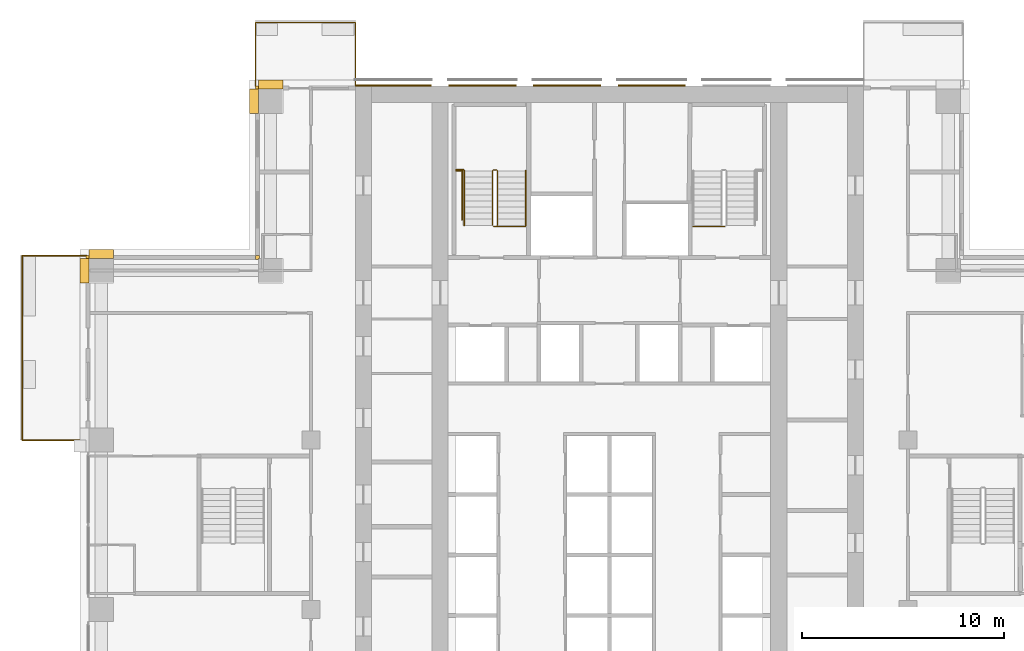
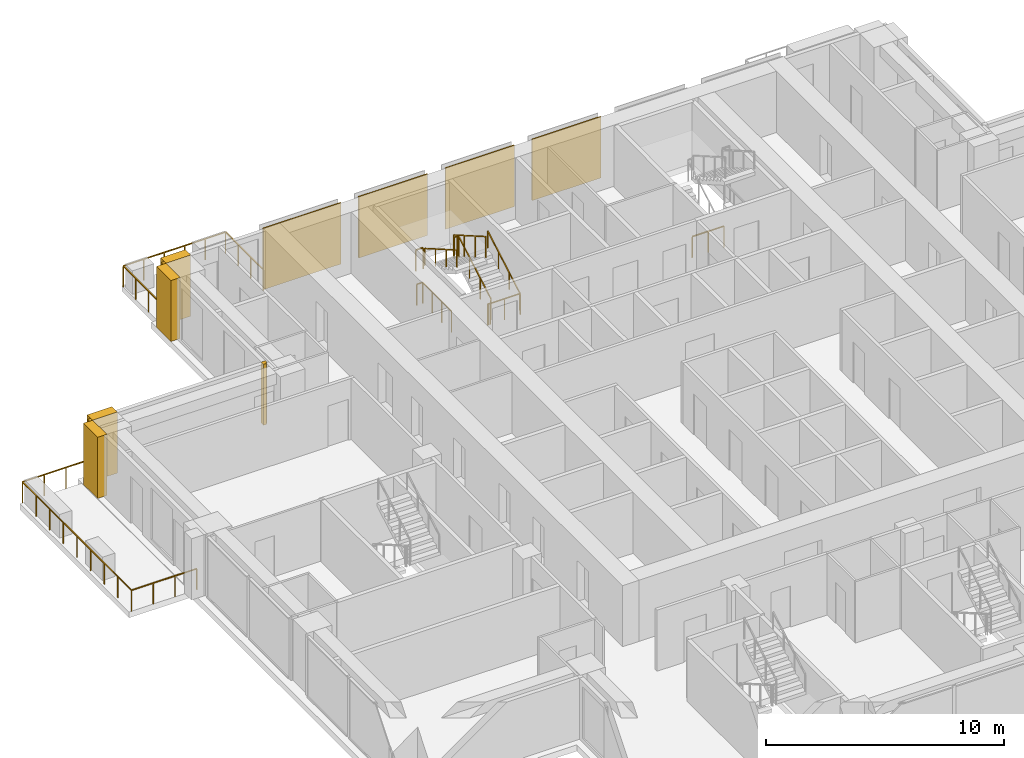
# One storey, part 16 of 17: 11 coverings, 9 railings.
"""IFC4 building model written with IfcOpenShell, lengths in metres."""

from ifc_helpers import new_model, si_unit, direction, frame, origin, origin_2d, place, context, subcontext, project, spatial, polyline, rectangle, outline, extrude, material, type_object, element, save


model = new_model("IFC4")

# Units and contexts
model_context = context("Model", 3, precision=1e-05, world=origin(), true_north=direction((0.0, 1.0)))
body_context = subcontext(model_context, "Body", "Model", "MODEL_VIEW")
ifc_project = project(units=[si_unit("LENGTHUNIT", "METRE"), si_unit("AREAUNIT", "SQUARE_METRE"), si_unit("VOLUMEUNIT", "CUBIC_METRE"), si_unit("PLANEANGLEUNIT", "RADIAN"), si_unit("MASSUNIT", "GRAM", prefix="KILO")], contexts=[model_context])

# Site, building, storey
site_placement = place(None, origin())
site = spatial("IfcSite", under=ifc_project, at=site_placement, CompositionType="ELEMENT")
building_placement = place(site_placement, origin())
building = spatial("IfcBuilding", under=site, at=building_placement, Name="Vermilion Ogive Tower", CompositionType="ELEMENT")
storey_placement = place(building_placement, frame((0.0, 0.0, 83.85009765625)))
storey = spatial("IfcBuildingStorey", under=building, at=storey_placement, Name="L20", CompositionType="ELEMENT", Elevation=83.85009765625)

# Railings
ifc_material_1 = material(Name="Stainless steel and glass", Category="steel")
railing_type_1 = type_object("IfcRailingType", Name="Balcony guard", PredefinedType="GUARDRAIL", material=ifc_material_1)
railing_1_placement = place(storey_placement, frame((-12.60009765625, 21.75, -0.0400390625)))
element("IfcRailing", 1, at=railing_1_placement, inside=storey, type_object=railing_type_1, Name="Guard N201", PredefinedType="GUARDRAIL", context=body_context, shape_type="SweptSolid", body=[
    extrude(rectangle(XDim=0.048095703125, YDim=0.048095703125, at=origin_2d()), frame((0.0, 0.0, 1.076171875), z_axis=(0.0, 1.0, 0.0), x_axis=(-1.0, 0.0, 0.0)), (0.0, 0.0, 1.0), 3.159912109375),
    extrude(rectangle(XDim=0.048095703125, YDim=0.048095703125, at=origin_2d()), frame((0.0, 3.159912109375, 1.076171875), z_axis=(-1.0, 0.0, 0.0), x_axis=(0.0, -1.0, 0.0)), (0.0, 0.0, 1.0), 4.949951171875),
    extrude(rectangle(XDim=0.048095703125, YDim=0.048095703125, at=origin_2d()), frame((-4.949951171875, 3.159912109375, 1.076171875), z_axis=(0.0, -1.0, 0.0), x_axis=(1.0, 0.0, 0.0)), (0.0, 0.0, 1.0), 3.159912109375),
    extrude(rectangle(XDim=0.0419921875, YDim=0.0419921875, at=origin_2d()), origin(), (0.0, 0.0, 1.0), 1.052001953125),
    extrude(rectangle(XDim=0.0419921875, YDim=0.0419921875, at=origin_2d()), frame((0.0, 1.05322265625, 0.0)), (0.0, 0.0, 1.0), 1.052001953125),
    extrude(rectangle(XDim=0.0419921875, YDim=0.0419921875, at=origin_2d()), frame((0.0, 2.106689453125, 0.0)), (0.0, 0.0, 1.0), 1.052001953125),
    extrude(rectangle(XDim=0.0419921875, YDim=0.0419921875, at=origin_2d()), frame((0.0, 3.159912109375, 0.0)), (0.0, 0.0, 1.0), 1.052001953125),
    extrude(rectangle(XDim=0.0419921875, YDim=0.0419921875, at=origin_2d()), frame((-0.989990234375, 3.159912109375, 0.0)), (0.0, 0.0, 1.0), 1.052001953125),
    extrude(rectangle(XDim=0.0419921875, YDim=0.0419921875, at=origin_2d()), frame((-1.97998046875, 3.159912109375, 0.0)), (0.0, 0.0, 1.0), 1.052001953125),
    extrude(rectangle(XDim=0.0419921875, YDim=0.0419921875, at=origin_2d()), frame((-2.969970703125, 3.159912109375, 0.0)), (0.0, 0.0, 1.0), 1.052001953125),
    extrude(rectangle(XDim=0.0419921875, YDim=0.0419921875, at=origin_2d()), frame((-3.9599609375, 3.159912109375, 0.0)), (0.0, 0.0, 1.0), 1.052001953125),
    extrude(rectangle(XDim=0.0419921875, YDim=0.0419921875, at=origin_2d()), frame((-4.949951171875, 3.159912109375, 0.0)), (0.0, 0.0, 1.0), 1.052001953125),
    extrude(rectangle(XDim=0.0419921875, YDim=0.0419921875, at=origin_2d()), frame((-4.949951171875, 2.106689453125, 0.0)), (0.0, 0.0, 1.0), 1.052001953125),
    extrude(rectangle(XDim=0.0419921875, YDim=0.0419921875, at=origin_2d()), frame((-4.949951171875, 1.05322265625, 0.0)), (0.0, 0.0, 1.0), 1.052001953125),
    extrude(rectangle(XDim=0.0419921875, YDim=0.0419921875, at=origin_2d()), frame((-4.949951171875, 0.0, 0.0)), (0.0, 0.0, 1.0), 1.052001953125),
])
railing_2_placement = place(storey_placement, frame((-25.949951171875, 13.35009765625, -0.0400390625)))
element("IfcRailing", 2, at=railing_2_placement, inside=storey, type_object=railing_type_1, Name="Guard W01", PredefinedType="GUARDRAIL", context=body_context, shape_type="SweptSolid", body=[
    extrude(rectangle(XDim=0.048095703125, YDim=0.048095703125, at=origin_2d()), frame((0.0, 0.0, 1.076171875), z_axis=(-1.0, 0.0, 0.0), x_axis=(0.0, -1.0, 0.0)), (0.0, 0.0, 1.0), 3.16015625),
    extrude(rectangle(XDim=0.048095703125, YDim=0.048095703125, at=origin_2d()), frame((-3.16015625, 0.0, 1.076171875), z_axis=(0.0, -1.0, 0.0), x_axis=(1.0, 0.0, 0.0)), (0.0, 0.0, 1.0), 9.150146484375),
    extrude(rectangle(XDim=0.048095703125, YDim=0.048095703125, at=origin_2d()), frame((-3.16015625, -9.150146484375, 1.076171875), z_axis=(1.0, 0.0, 0.0), x_axis=(0.0, 1.0, 0.0)), (0.0, 0.0, 1.0), 3.16015625),
    extrude(rectangle(XDim=0.0419921875, YDim=0.0419921875, at=origin_2d()), origin(), (0.0, 0.0, 1.0), 1.052001953125),
    extrude(rectangle(XDim=0.0419921875, YDim=0.0419921875, at=origin_2d()), frame((-1.053466796875, 0.0, 0.0)), (0.0, 0.0, 1.0), 1.052001953125),
    extrude(rectangle(XDim=0.0419921875, YDim=0.0419921875, at=origin_2d()), frame((-2.106689453125, 0.0, 0.0)), (0.0, 0.0, 1.0), 1.052001953125),
    extrude(rectangle(XDim=0.0419921875, YDim=0.0419921875, at=origin_2d()), frame((-3.16015625, 0.0, 0.0)), (0.0, 0.0, 1.0), 1.052001953125),
    extrude(rectangle(XDim=0.0419921875, YDim=0.0419921875, at=origin_2d()), frame((-3.16015625, -1.143798828125, 0.0)), (0.0, 0.0, 1.0), 1.052001953125),
    extrude(rectangle(XDim=0.0419921875, YDim=0.0419921875, at=origin_2d()), frame((-3.16015625, -2.28759765625, 0.0)), (0.0, 0.0, 1.0), 1.052001953125),
    extrude(rectangle(XDim=0.0419921875, YDim=0.0419921875, at=origin_2d()), frame((-3.16015625, -3.431396484375, 0.0)), (0.0, 0.0, 1.0), 1.052001953125),
    extrude(rectangle(XDim=0.0419921875, YDim=0.0419921875, at=origin_2d()), frame((-3.16015625, -4.5751953125, 0.0)), (0.0, 0.0, 1.0), 1.052001953125),
    extrude(rectangle(XDim=0.0419921875, YDim=0.0419921875, at=origin_2d()), frame((-3.16015625, -5.71875, 0.0)), (0.0, 0.0, 1.0), 1.052001953125),
    extrude(rectangle(XDim=0.0419921875, YDim=0.0419921875, at=origin_2d()), frame((-3.16015625, -6.862548828125, 0.0)), (0.0, 0.0, 1.0), 1.052001953125),
    extrude(rectangle(XDim=0.0419921875, YDim=0.0419921875, at=origin_2d()), frame((-3.16015625, -8.00634765625, 0.0)), (0.0, 0.0, 1.0), 1.052001953125),
    extrude(rectangle(XDim=0.0419921875, YDim=0.0419921875, at=origin_2d()), frame((-3.16015625, -9.150146484375, 0.0)), (0.0, 0.0, 1.0), 1.052001953125),
    extrude(rectangle(XDim=0.0419921875, YDim=0.0419921875, at=origin_2d()), frame((-2.106689453125, -9.150146484375, 0.0)), (0.0, 0.0, 1.0), 1.052001953125),
    extrude(rectangle(XDim=0.0419921875, YDim=0.0419921875, at=origin_2d()), frame((-1.053466796875, -9.150146484375, 0.0)), (0.0, 0.0, 1.0), 1.052001953125),
    extrude(rectangle(XDim=0.0419921875, YDim=0.0419921875, at=origin_2d()), frame((0.0, -9.150146484375, 0.0)), (0.0, 0.0, 1.0), 1.052001953125),
])
ifc_material_2 = material(Name="Steel S355 painted", Category="steel")
railing_type_2 = type_object("IfcRailingType", Name="Stair guard 1100", PredefinedType="GUARDRAIL", material=ifc_material_2)
railing_3_placement = place(storey_placement, frame((-5.75, 14.800048828125, 0.0)))
element("IfcRailing", 3, at=railing_3_placement, inside=storey, type_object=railing_type_2, Name="L20 ST1 stair guard 4", PredefinedType="GUARDRAIL", context=body_context, shape_type="SweptSolid", body=[
    extrude(rectangle(XDim=0.048095703125, YDim=0.048095703125, at=origin_2d()), frame((0.0, 0.0, 1.076171875), z_axis=(1.0, 0.0, 0.0), x_axis=(0.0, 1.0, 0.0)), (0.0, 0.0, 1.0), 0.14990234375),
    extrude(rectangle(XDim=0.048095703125, YDim=0.048095703125, at=origin_2d()), frame((0.14990234375, 0.0, 1.076171875), z_axis=(0.268603158521, 0.268603158521, 0.925043072762), x_axis=(-0.707106781187, 0.707106781187, 0.0)), (0.0, 0.0, 1.0), 0.186279296875),
    extrude(rectangle(XDim=0.048095703125, YDim=0.048095703125, at=origin_2d()), frame((0.199951171875, 0.050048828125, 1.24853515625), z_axis=(0.0, 0.866903762492, 0.498475542607), x_axis=(-1.0, 0.0, 0.0)), (0.0, 0.0, 1.0), 3.114501953125),
    extrude(rectangle(XDim=0.048095703125, YDim=0.048095703125, at=origin_2d()), frame((0.199951171875, 2.75, 2.80078125), z_axis=(-0.707106781187, 0.707106781187, 0.0), x_axis=(-0.707106781187, -0.707106781187, 0.0)), (0.0, 0.0, 1.0), 0.07080078125),
    extrude(rectangle(XDim=0.048095703125, YDim=0.048095703125, at=origin_2d()), frame((0.14990234375, 2.800048828125, 2.80078125), z_axis=(-1.0, 0.0, 0.0), x_axis=(0.0, -1.0, 0.0)), (0.0, 0.0, 1.0), 0.14990234375),
    extrude(rectangle(XDim=0.048095703125, YDim=0.048095703125, at=origin_2d()), frame((0.0, 2.800048828125, 2.80078125), z_axis=(-0.268277960024, -0.268277960024, 0.925231793839), x_axis=(0.707106781187, -0.707106781187, 0.0)), (0.0, 0.0, 1.0), 0.1865234375),
    extrude(rectangle(XDim=0.048095703125, YDim=0.048095703125, at=origin_2d()), frame((-0.050048828125, 2.75, 2.9736328125), z_axis=(0.0, -0.866903762492, 0.498475542607), x_axis=(1.0, 0.0, 0.0)), (0.0, 0.0, 1.0), 3.114501953125),
    extrude(rectangle(XDim=0.0419921875, YDim=0.0419921875, at=origin_2d()), origin(), (0.0, 0.0, 1.0), 1.052001953125),
    extrude(rectangle(XDim=0.0419921875, YDim=0.0419921875, at=origin_2d()), frame((0.14990234375, 0.0, 0.0)), (0.0, 0.0, 1.0), 1.052001953125),
    extrude(rectangle(XDim=0.0419921875, YDim=0.0419921875, at=origin_2d()), frame((0.199951171875, 0.050048828125, 0.17236328125)), (0.0, 0.0, 1.0), 1.052001953125),
    extrude(rectangle(XDim=0.0419921875, YDim=0.0419921875, at=origin_2d()), frame((0.199951171875, 0.949951171875, 0.68994140625)), (0.0, 0.0, 1.0), 1.052001953125),
    extrude(rectangle(XDim=0.0419921875, YDim=0.0419921875, at=origin_2d()), frame((0.199951171875, 1.85009765625, 1.207275390625)), (0.0, 0.0, 1.0), 1.052001953125),
    extrude(rectangle(XDim=0.0419921875, YDim=0.0419921875, at=origin_2d()), frame((0.199951171875, 2.75, 1.724853515625)), (0.0, 0.0, 1.0), 1.052001953125),
    extrude(rectangle(XDim=0.0419921875, YDim=0.0419921875, at=origin_2d()), frame((0.14990234375, 2.800048828125, 1.724853515625)), (0.0, 0.0, 1.0), 1.052001953125),
    extrude(rectangle(XDim=0.0419921875, YDim=0.0419921875, at=origin_2d()), frame((0.0, 2.800048828125, 1.724853515625)), (0.0, 0.0, 1.0), 1.052001953125),
    extrude(rectangle(XDim=0.0419921875, YDim=0.0419921875, at=origin_2d()), frame((-0.050048828125, 2.75, 1.8974609375)), (0.0, 0.0, 1.0), 1.052001953125),
    extrude(rectangle(XDim=0.0419921875, YDim=0.0419921875, at=origin_2d()), frame((-0.050048828125, 1.85009765625, 2.4150390625)), (0.0, 0.0, 1.0), 1.052001953125),
    extrude(rectangle(XDim=0.0419921875, YDim=0.0419921875, at=origin_2d()), frame((-0.050048828125, 0.949951171875, 2.932373046875)), (0.0, 0.0, 1.0), 1.052001953125),
    extrude(rectangle(XDim=0.0419921875, YDim=0.0419921875, at=origin_2d()), frame((-0.050048828125, 0.050048828125, 3.449951171875)), (0.0, 0.0, 1.0), 1.052001953125),
])
railing_4_placement = place(storey_placement, frame((-7.60009765625, 17.60009765625, 1.724853515625)))
element("IfcRailing", 4, at=railing_4_placement, inside=storey, type_object=railing_type_2, Name="L20 landing guard", PredefinedType="GUARDRAIL", context=body_context, shape_type="SweptSolid", body=[
    extrude(rectangle(XDim=0.048095703125, YDim=0.048095703125, at=origin_2d()), frame((0.0, 0.0, 1.076171875), z_axis=(1.0, 0.0, 0.0), x_axis=(0.0, 1.0, 0.0)), (0.0, 0.0, 1.0), 0.35009765625),
    extrude(rectangle(XDim=0.0419921875, YDim=0.0419921875, at=origin_2d()), origin(), (0.0, 0.0, 1.0), 1.052001953125),
    extrude(rectangle(XDim=0.0419921875, YDim=0.0419921875, at=origin_2d()), frame((0.35009765625, 0.0, 0.0)), (0.0, 0.0, 1.0), 1.052001953125),
])
railing_5_placement = place(storey_placement, frame((-4.159912109375, 14.7900390625, 0.0)))
element("IfcRailing", 5, at=railing_5_placement, inside=storey, type_object=railing_type_2, Name="L20 stair opening guard", PredefinedType="GUARDRAIL", context=body_context, shape_type="SweptSolid", body=[
    extrude(rectangle(XDim=0.048095703125, YDim=0.048095703125, at=origin_2d()), frame((0.0, 0.0, 1.076171875), z_axis=(-1.0, 0.0, 0.0), x_axis=(0.0, -1.0, 0.0)), (0.0, 0.0, 1.0), 1.5400390625),
    extrude(rectangle(XDim=0.0419921875, YDim=0.0419921875, at=origin_2d()), origin(), (0.0, 0.0, 1.0), 1.052001953125),
    extrude(rectangle(XDim=0.0419921875, YDim=0.0419921875, at=origin_2d()), frame((-0.77001953125, 0.0, 0.0)), (0.0, 0.0, 1.0), 1.052001953125),
    extrude(rectangle(XDim=0.0419921875, YDim=0.0419921875, at=origin_2d()), frame((-1.5400390625, 0.0, 0.0)), (0.0, 0.0, 1.0), 1.052001953125),
])
railing_6_placement = place(storey_placement, frame((-7.3095703125, 15.11865234375, 0.0)))
element("IfcRailing", 6, at=railing_6_placement, inside=storey, type_object=railing_type_2, Name="L20 stair opening guard", PredefinedType="GUARDRAIL", context=body_context, shape_type="SweptSolid", body=[
    extrude(rectangle(XDim=0.048095703125, YDim=0.048095703125, at=origin_2d()), frame((0.0, 0.0, 1.076171875), z_axis=(0.0, 1.0, 0.0), x_axis=(-1.0, 0.0, 0.0)), (0.0, 0.0, 1.0), 2.42431640625),
    extrude(rectangle(XDim=0.048095703125, YDim=0.048095703125, at=origin_2d()), frame((0.0, 2.42431640625, 1.076171875), z_axis=(-1.0, 0.0, 0.0), x_axis=(0.0, -1.0, 0.0)), (0.0, 0.0, 1.0), 0.2900390625),
    extrude(rectangle(XDim=0.0419921875, YDim=0.0419921875, at=origin_2d()), origin(), (0.0, 0.0, 1.0), 1.052001953125),
    extrude(rectangle(XDim=0.0419921875, YDim=0.0419921875, at=origin_2d()), frame((0.0, 0.80810546875, 0.0)), (0.0, 0.0, 1.0), 1.052001953125),
    extrude(rectangle(XDim=0.0419921875, YDim=0.0419921875, at=origin_2d()), frame((0.0, 1.6162109375, 0.0)), (0.0, 0.0, 1.0), 1.052001953125),
    extrude(rectangle(XDim=0.0419921875, YDim=0.0419921875, at=origin_2d()), frame((0.0, 2.42431640625, 0.0)), (0.0, 0.0, 1.0), 1.052001953125),
    extrude(rectangle(XDim=0.0419921875, YDim=0.0419921875, at=origin_2d()), frame((-0.2900390625, 2.42431640625, 0.0)), (0.0, 0.0, 1.0), 1.052001953125),
])
railing_7_placement = place(storey_placement, frame((5.699951171875, 14.7900390625, 0.0)))
element("IfcRailing", 7, at=railing_7_placement, inside=storey, type_object=railing_type_2, Name="L20 stair opening guard", PredefinedType="GUARDRAIL", context=body_context, shape_type="SweptSolid", body=[
    extrude(rectangle(XDim=0.048095703125, YDim=0.048095703125, at=origin_2d()), frame((0.0, 0.0, 1.076171875), z_axis=(-1.0, 0.0, 0.0), x_axis=(0.0, -1.0, 0.0)), (0.0, 0.0, 1.0), 1.5400390625),
    extrude(rectangle(XDim=0.0419921875, YDim=0.0419921875, at=origin_2d()), origin(), (0.0, 0.0, 1.0), 1.052001953125),
    extrude(rectangle(XDim=0.0419921875, YDim=0.0419921875, at=origin_2d()), frame((-0.77001953125, 0.0, 0.0)), (0.0, 0.0, 1.0), 1.052001953125),
    extrude(rectangle(XDim=0.0419921875, YDim=0.0419921875, at=origin_2d()), frame((-1.5400390625, 0.0, 0.0)), (0.0, 0.0, 1.0), 1.052001953125),
])
ifc_material_3 = material(Name="Stainless steel", Category="steel")
railing_type_3 = type_object("IfcRailingType", Name="Stair handrail 900", PredefinedType="HANDRAIL", material=ifc_material_3)
railing_8_placement = place(storey_placement, frame((-4.14990234375, 14.85009765625, 0.17236328125)))
element("IfcRailing", 8, at=railing_8_placement, inside=storey, type_object=railing_type_3, Name="L20 ST1 stair handrail 1", PredefinedType="HANDRAIL", context=body_context, shape_type="SweptSolid", body=[
    extrude(rectangle(XDim=0.048095703125, YDim=0.048095703125, at=origin_2d()), frame((0.0, 0.0, 0.8759765625), z_axis=(0.0, 0.866903762492, 0.498475542607), x_axis=(-1.0, 0.0, 0.0)), (0.0, 0.0, 1.0), 3.114501953125),
    extrude(rectangle(XDim=0.0419921875, YDim=0.0419921875, at=origin_2d()), origin(), (0.0, 0.0, 1.0), 0.851806640625),
    extrude(rectangle(XDim=0.0419921875, YDim=0.0419921875, at=origin_2d()), frame((0.0, 0.89990234375, 0.517578125)), (0.0, 0.0, 1.0), 0.851806640625),
    extrude(rectangle(XDim=0.0419921875, YDim=0.0419921875, at=origin_2d()), frame((0.0, 1.800048828125, 1.034912109375)), (0.0, 0.0, 1.0), 0.851806640625),
    extrude(rectangle(XDim=0.0419921875, YDim=0.0419921875, at=origin_2d()), frame((0.0, 2.699951171875, 1.552490234375)), (0.0, 0.0, 1.0), 0.851806640625),
])
railing_9_placement = place(storey_placement, frame((-7.199951171875, 17.550048828125, 1.8974609375)))
element("IfcRailing", 9, at=railing_9_placement, inside=storey, type_object=railing_type_3, Name="L20 ST1 stair handrail 2", PredefinedType="HANDRAIL", context=body_context, shape_type="SweptSolid", body=[
    extrude(rectangle(XDim=0.048095703125, YDim=0.048095703125, at=origin_2d()), frame((0.0, 0.0, 0.8759765625), z_axis=(0.0, -0.866903762492, 0.498475542607), x_axis=(1.0, 0.0, 0.0)), (0.0, 0.0, 1.0), 3.114501953125),
    extrude(rectangle(XDim=0.0419921875, YDim=0.0419921875, at=origin_2d()), origin(), (0.0, 0.0, 1.0), 0.851806640625),
    extrude(rectangle(XDim=0.0419921875, YDim=0.0419921875, at=origin_2d()), frame((0.0, -0.89990234375, 0.517578125)), (0.0, 0.0, 1.0), 0.851806640625),
    extrude(rectangle(XDim=0.0419921875, YDim=0.0419921875, at=origin_2d()), frame((0.0, -1.800048828125, 1.034912109375)), (0.0, 0.0, 1.0), 0.851806640625),
    extrude(rectangle(XDim=0.0419921875, YDim=0.0419921875, at=origin_2d()), frame((0.0, -2.699951171875, 1.552490234375)), (0.0, 0.0, 1.0), 0.851806640625),
])

# Coverings
ifc_material_4 = material(Name="Stone cladding", Category="masonry")
covering_type_1 = type_object("IfcCoveringType", Name="Stone cladding panel", PredefinedType="CLADDING", material=ifc_material_4)
covering_1_placement = place(storey_placement, origin())
element("IfcCovering", 10, at=covering_1_placement, inside=storey, type_object=covering_type_1, Name="Stone cladding panel N1", PredefinedType="CLADDING", context=body_context, shape_type="SweptSolid", body=[
    extrude(outline(polyline([(-12.590087890625, 21.75), (-8.830078125, 21.75), (-8.830078125, 21.81005859375), (-12.590087890625, 21.81005859375), (-12.590087890625, 21.75)])), origin(), (0.0, 0.0, 1.0), 3.1298828125),
])
covering_2_placement = place(storey_placement, origin())
element("IfcCovering", 11, at=covering_2_placement, inside=storey, type_object=covering_type_1, Name="Stone cladding panel N2", PredefinedType="CLADDING", context=body_context, shape_type="SweptSolid", body=[
    extrude(outline(polyline([(-7.969970703125, 21.75), (-4.6298828125, 21.75), (-4.6298828125, 21.81005859375), (-7.969970703125, 21.81005859375), (-7.969970703125, 21.75)])), origin(), (0.0, 0.0, 1.0), 3.1298828125),
])
covering_3_placement = place(storey_placement, origin())
element("IfcCovering", 12, at=covering_3_placement, inside=storey, type_object=covering_type_1, Name="Stone cladding panel N3", PredefinedType="CLADDING", context=body_context, shape_type="SweptSolid", body=[
    extrude(outline(polyline([(-3.77001953125, 21.75), (-0.429931640625, 21.75), (-0.429931640625, 21.81005859375), (-3.77001953125, 21.81005859375), (-3.77001953125, 21.75)])), origin(), (0.0, 0.0, 1.0), 3.1298828125),
])
covering_4_placement = place(storey_placement, origin())
element("IfcCovering", 13, at=covering_4_placement, inside=storey, type_object=covering_type_1, Name="Stone cladding panel N4", PredefinedType="CLADDING", context=body_context, shape_type="SweptSolid", body=[
    extrude(outline(polyline([(0.429931640625, 21.75), (3.77001953125, 21.75), (3.77001953125, 21.81005859375), (0.429931640625, 21.81005859375), (0.429931640625, 21.75)])), origin(), (0.0, 0.0, 1.0), 3.1298828125),
])
ifc_material_5 = material(Name="Stone cladding", Category="masonry")
covering_type_2 = type_object("IfcCoveringType", Name="Stone pier", PredefinedType="CLADDING", material=ifc_material_5)
covering_5_placement = place(storey_placement, origin())
element("IfcCovering", 14, at=covering_5_placement, inside=storey, type_object=covering_type_2, Name="Stone corner pier N2E1", PredefinedType="CLADDING", context=body_context, shape_type="SweptSolid", body=[
    extrude(outline(polyline([(-17.39990234375, 21.75), (-17.39990234375, 21.60009765625), (-17.39990234375, 21.60009765625), (-17.550048828125, 21.60009765625), (-17.550048828125, 21.75), (-17.39990234375, 21.75)])), origin(), (0.0, 0.0, 1.0), 3.1298828125),
])
covering_6_placement = place(storey_placement, origin())
element("IfcCovering", 15, at=covering_6_placement, inside=storey, type_object=covering_type_2, Name="Stone corner pier X5E1", PredefinedType="CLADDING", context=body_context, shape_type="SweptSolid", body=[
    extrude(outline(polyline([(-17.35009765625, 13.199951171875), (-17.39990234375, 13.199951171875), (-17.39990234375, 13.14990234375), (-17.550048828125, 13.14990234375), (-17.550048828125, 13.35009765625), (-17.35009765625, 13.35009765625), (-17.35009765625, 13.199951171875)])), origin(), (0.0, 0.0, 1.0), 3.1298828125),
])
covering_7_placement = place(storey_placement, origin())
element("IfcCovering", 16, at=covering_7_placement, inside=storey, type_object=covering_type_2, Name="Stone corner pier X6E1", PredefinedType="CLADDING", context=body_context, shape_type="SweptSolid", body=[
    extrude(outline(polyline([(-25.800048828125, 13.35009765625), (-25.800048828125, 13.199951171875), (-25.949951171875, 13.199951171875), (-25.949951171875, 13.35009765625), (-25.800048828125, 13.35009765625)])), origin(), (0.0, 0.0, 1.0), 3.1298828125),
])
covering_8_placement = place(storey_placement, origin())
element("IfcCovering", 17, at=covering_8_placement, inside=storey, type_object=covering_type_2, Name="Stone pier P-0168+210N2", PredefinedType="CLADDING", context=body_context, shape_type="SweptSolid", body=[
    extrude(outline(polyline([(-17.39990234375, 22.050048828125), (-16.199951171875, 22.050048828125), (-16.199951171875, 21.60009765625), (-17.39990234375, 21.60009765625), (-17.39990234375, 22.050048828125)])), origin(), (0.0, 0.0, 1.0), 3.1298828125),
])
covering_9_placement = place(storey_placement, origin())
element("IfcCovering", 18, at=covering_9_placement, inside=storey, type_object=covering_type_2, Name="Stone pier P-0168+210X5", PredefinedType="CLADDING", context=body_context, shape_type="SweptSolid", body=[
    extrude(outline(polyline([(-17.85009765625, 21.60009765625), (-17.39990234375, 21.60009765625), (-17.39990234375, 20.39990234375), (-17.85009765625, 20.39990234375), (-17.85009765625, 21.60009765625)])), origin(), (0.0, 0.0, 1.0), 3.1298828125),
])
covering_10_placement = place(storey_placement, origin())
element("IfcCovering", 19, at=covering_10_placement, inside=storey, type_object=covering_type_2, Name="Stone pier P-0252+126X6", PredefinedType="CLADDING", context=body_context, shape_type="SweptSolid", body=[
    extrude(outline(polyline([(-25.800048828125, 13.199951171875), (-25.800048828125, 13.64990234375), (-24.60009765625, 13.64990234375), (-24.60009765625, 13.199951171875), (-24.60009765625, 13.199951171875), (-25.800048828125, 13.199951171875)])), origin(), (0.0, 0.0, 1.0), 3.1298828125),
])
covering_11_placement = place(storey_placement, origin())
element("IfcCovering", 20, at=covering_11_placement, inside=storey, type_object=covering_type_2, Name="Stone pier P-0252+126W", PredefinedType="CLADDING", context=body_context, shape_type="SweptSolid", body=[
    extrude(outline(polyline([(-26.25, 13.199951171875), (-25.800048828125, 13.199951171875), (-25.800048828125, 12.0), (-26.25, 12.0), (-26.25, 13.199951171875)])), origin(), (0.0, 0.0, 1.0), 3.1298828125),
])

save(model, "model.ifc")
